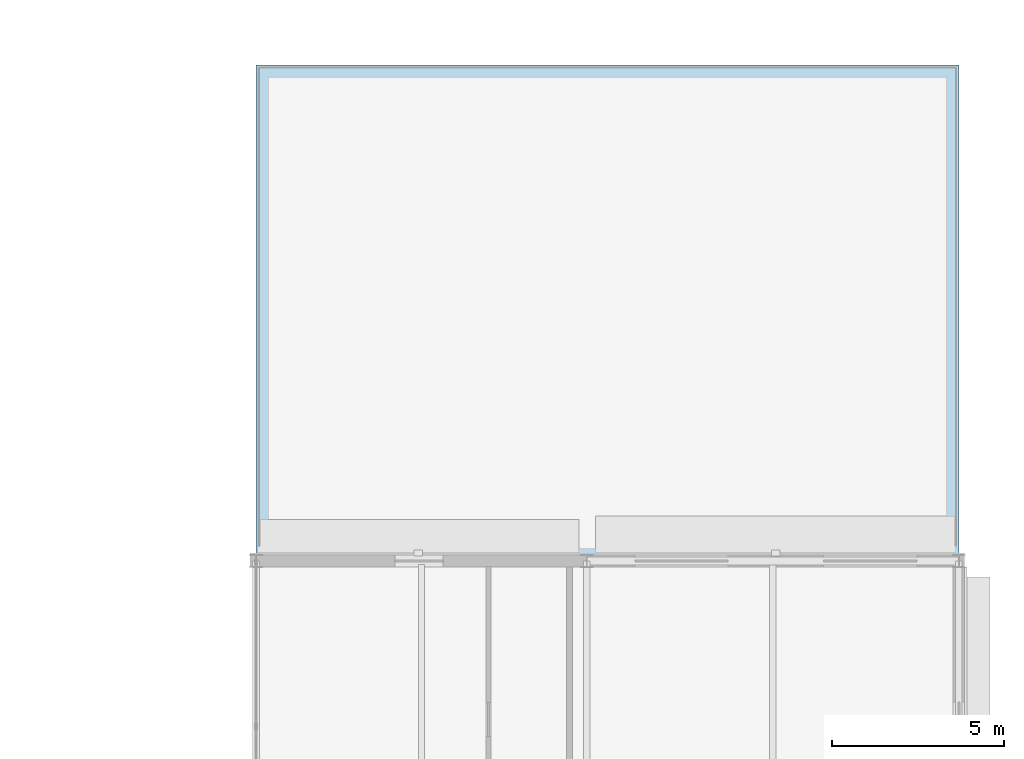
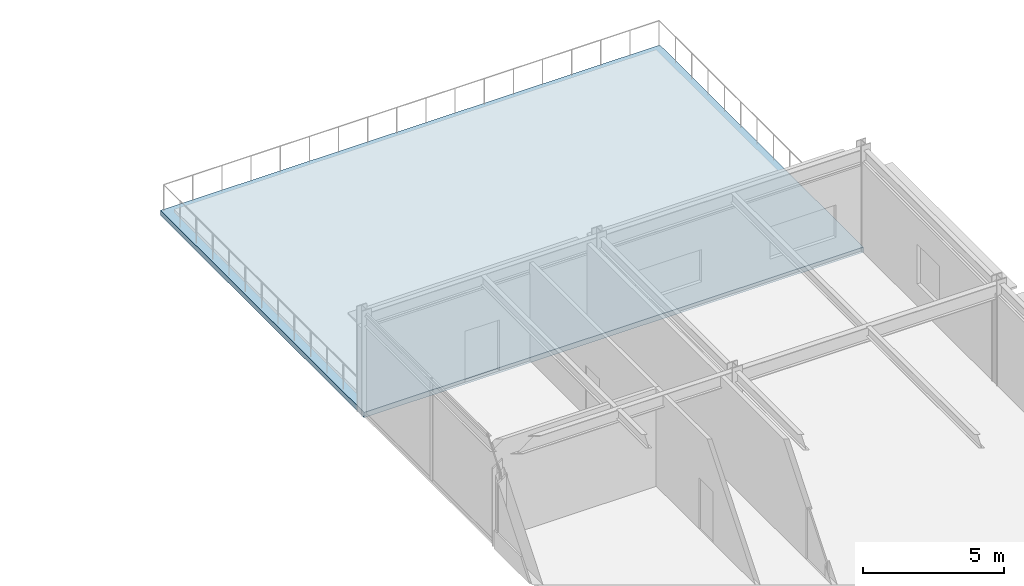
# One storey, part 113 of 157: 1 slab.
"""IFC4 building model written with IfcOpenShell, lengths in metres."""

from ifc_helpers import new_model, si_unit, direction, frame, origin, place, context, subcontext, project, spatial, polyline, outline, extrude, material, layer, layer_set, type_object, element, save


model = new_model("IFC4")

# Units and contexts
model_context = context("Model", 3, precision=1e-05, world=origin(), true_north=direction((0.0, 1.0)))
body_context = subcontext(model_context, "Body", "Model", "MODEL_VIEW")
ifc_project = project(units=[si_unit("LENGTHUNIT", "METRE"), si_unit("AREAUNIT", "SQUARE_METRE"), si_unit("VOLUMEUNIT", "CUBIC_METRE"), si_unit("PLANEANGLEUNIT", "RADIAN"), si_unit("MASSUNIT", "GRAM", prefix="KILO")], contexts=[model_context])

# Site, building, storey
site_placement = place(None, origin())
site = spatial("IfcSite", under=ifc_project, at=site_placement, CompositionType="ELEMENT")
building_placement = place(site_placement, origin())
building = spatial("IfcBuilding", under=site, at=building_placement, Name="Almandine Court Research Institute", CompositionType="ELEMENT")
storey_placement = place(building_placement, frame((0.0, 0.0, 5.25)))
storey = spatial("IfcBuildingStorey", under=building, at=storey_placement, Name="L01", CompositionType="ELEMENT", Elevation=5.25)

# Slab
ifc_material = material(Name="Concrete C35/45", Category="concrete")
ifc_layer = layer(ifc_material, 0.22509765625)
ifc_layer_set = layer_set([ifc_layer], Name="Concrete C35/45")
slab_type = type_object("IfcSlabType", Name="Slab-TER-225", PredefinedType="FLOOR", material=ifc_layer_set)
slab_placement = place(storey_placement, frame((0.0, 0.0, -0.22509765625)))
element("IfcSlab", 1, at=slab_placement, inside=storey, type_object=slab_type, Name="L01 Volume 4 Stepped Planted Roof Garden Slab", PredefinedType="FLOOR", context=body_context, shape_type="SweptSolid", body=[
    extrude(outline(polyline([(153.60009765625, 103.199951171875), (174.0, 103.199951171875), (174.0, 117.60009765625), (153.60009765625, 117.60009765625), (153.60009765625, 103.199951171875)])), origin(), (0.0, 0.0, 1.0), 0.22509765625),
])

save(model, "model.ifc")
